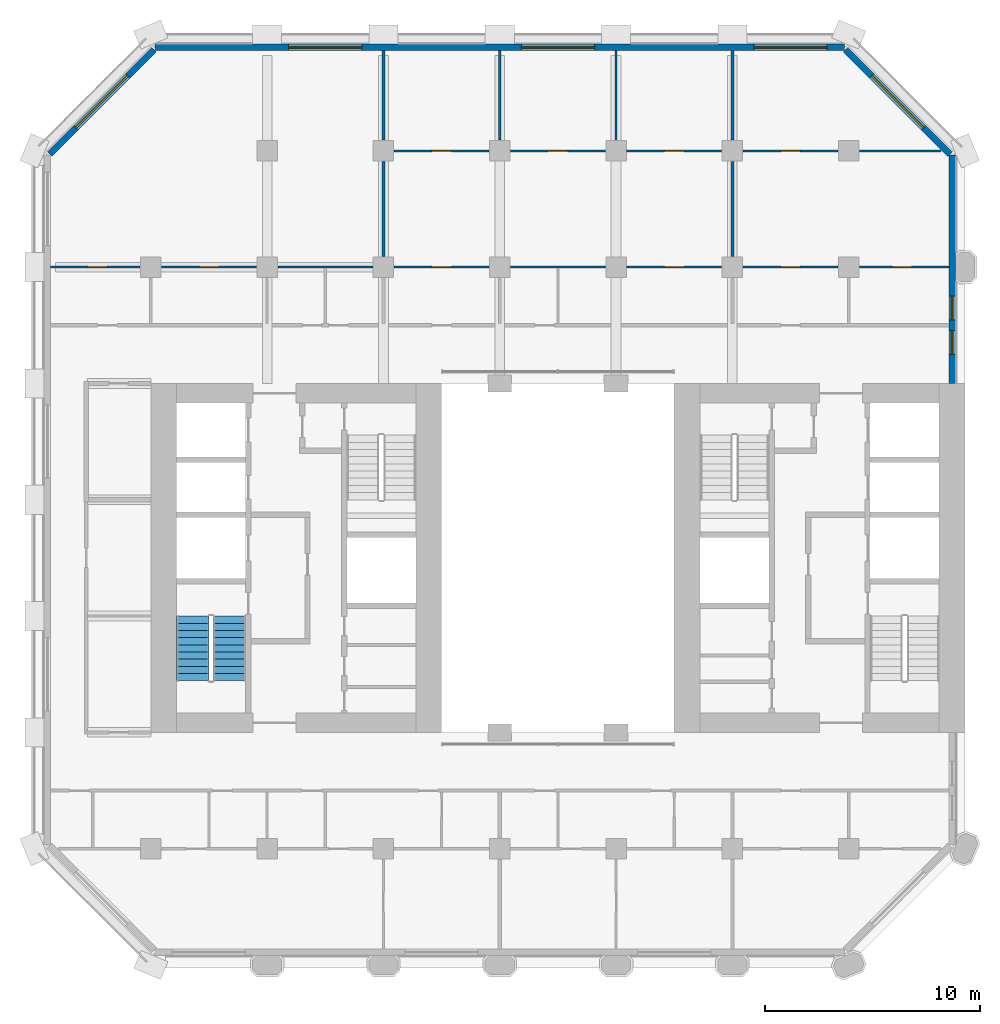
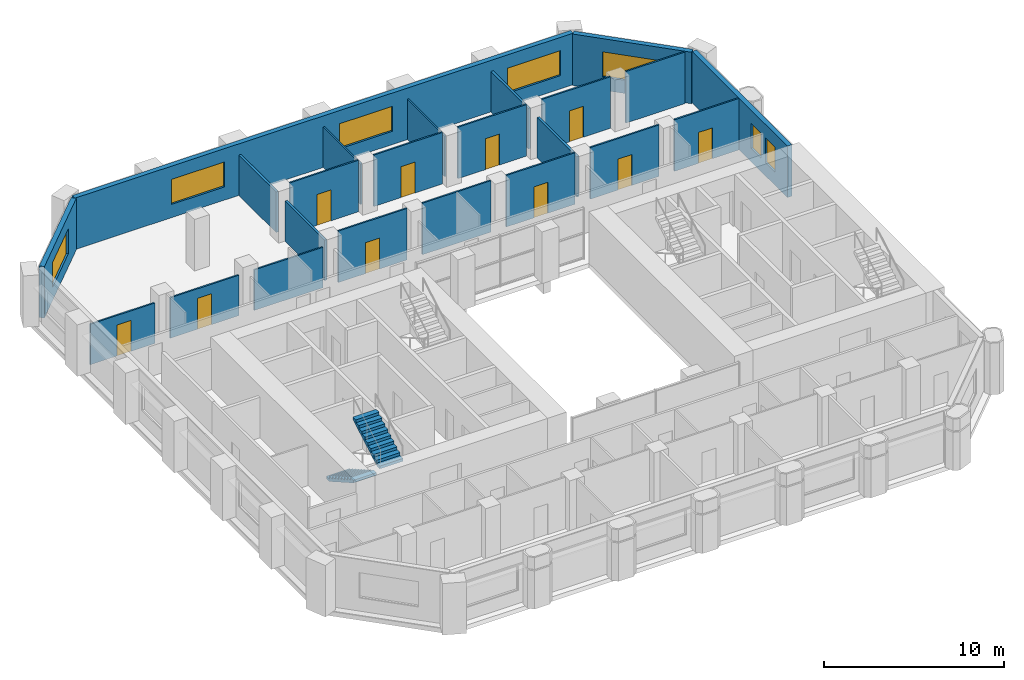
# One storey, part 9 of 13: 23 walls, 10 doors, 7 windows, 2 stair flights, 17 openings, 1 element without a shape of its own.
"""IFC4 building model written with IfcOpenShell, lengths in metres."""

from ifc_helpers import new_model, si_unit, direction, frame, frame_2d, origin, place, context, subcontext, project, spatial, polyline, rectangle, outline, extrude, material, layer, layer_set, type_object, element, fill, aggregate, save


model = new_model("IFC4")

# Units and contexts
model_context = context("Model", 3, precision=1e-05, world=origin(), true_north=direction((0.0, 1.0)))
body_context = subcontext(model_context, "Body", "Model", "MODEL_VIEW")
ifc_project = project(units=[si_unit("LENGTHUNIT", "METRE"), si_unit("AREAUNIT", "SQUARE_METRE"), si_unit("VOLUMEUNIT", "CUBIC_METRE"), si_unit("PLANEANGLEUNIT", "RADIAN"), si_unit("MASSUNIT", "GRAM", prefix="KILO")], contexts=[model_context])

# Site, building, storey
site_placement = place(None, origin())
site = spatial("IfcSite", under=ifc_project, at=site_placement, CompositionType="ELEMENT")
building_placement = place(site_placement, origin())
building = spatial("IfcBuilding", under=site, at=building_placement, Name="Tabaq Tower and Sports Hall", CompositionType="ELEMENT")
storey_placement = place(building_placement, frame((0.0, 0.0, 118.199951171875)))
storey = spatial("IfcBuildingStorey", under=building, at=storey_placement, Name="L28", CompositionType="ELEMENT", Elevation=118.199951171875)

# Wall, opening, door
ifc_material_1 = material(Name="Gypsum board on steel studs", Category="steel")
ifc_layer_1 = layer(ifc_material_1, 0.10009765625)
ifc_layer_set_1 = layer_set([ifc_layer_1], Name="Partition 100 Gypsum board")
wall_type_1 = type_object("IfcWallType", Name="Partition 100 Gypsum board", PredefinedType="PARTITIONING", material=ifc_layer_set_1)
wall_1_placement = place(storey_placement, frame((4.905029296875, 37.800048828125, 0.0), z_axis=(0.0, 0.0, 1.0), x_axis=(-1.0, 0.0, 0.0)))
wall_1 = element("IfcWall", 1, at=wall_1_placement, inside=storey, type_object=wall_type_1, Name="Partition wall L28", PredefinedType="PARTITIONING", context=body_context, shape_type="SweptSolid", body=[
    extrude(rectangle(XDim=4.154052734375, YDim=0.10009765625, at=frame_2d((2.0771484375, 0.0))), origin(), (0.0, 0.0, 1.0), 2.75),
])
opening_1_placement = place(wall_1_placement, frame((1.530029296875, 0.0, 0.0)))
opening_1 = element("IfcOpeningElement", 2, at=opening_1_placement, cuts=wall_1, Name="Opening L28-028", PredefinedType="OPENING", context=body_context, shape_type="SweptSolid", body=[
    extrude(rectangle(XDim=0.89990234375, YDim=2.10009765625, at=frame_2d((0.449951171875, 1.050048828125))), frame((0.0, 0.050048828125, 0.0), z_axis=(0.0, -1.0, 0.0), x_axis=(1.0, 0.0, 0.0)), (0.0, 0.0, 1.0), 0.10009765625),
])
ifc_material_2 = material(Name="Timber leaf in steel frame", Category="steel")
door_type_1 = type_object("IfcDoorType", Name="Internal door 900 right hand", OperationType="SINGLE_SWING_RIGHT", PredefinedType="DOOR", material=ifc_material_2)
door_1_placement = place(opening_1_placement, origin())
door_1 = element("IfcDoor", 3, at=door_1_placement, inside=storey, type_object=door_type_1, Name="Internal door L28-028", OperationType="SINGLE_SWING_RIGHT", OverallHeight=2.10009765625, OverallWidth=0.89990234375, PredefinedType="DOOR", context=body_context, shape_type="SweptSolid", body=[
    extrude(rectangle(XDim=0.89990234375, YDim=2.10009765625, at=frame_2d((0.449951171875, 1.050048828125))), frame((0.0, 0.02490234375, 0.0), z_axis=(0.0, -1.0, 0.0), x_axis=(1.0, 0.0, 0.0)), (0.0, 0.0, 1.0), 0.050048828125),
])
fill(opening_1, door_1)

wall_2_placement = place(storey_placement, frame((10.304931640625, 37.800048828125, 0.0), z_axis=(0.0, 0.0, 1.0), x_axis=(-1.0, 0.0, 0.0)))
wall_2 = element("IfcWall", 4, at=wall_2_placement, inside=storey, type_object=wall_type_1, Name="Partition wall L28", PredefinedType="PARTITIONING", context=body_context, shape_type="SweptSolid", body=[
    extrude(rectangle(XDim=4.409912109375, YDim=0.10009765625, at=frame_2d((2.205078125, 0.0))), origin(), (0.0, 0.0, 1.0), 2.75),
])
opening_2_placement = place(wall_2_placement, frame((1.7548828125, 0.0, 0.0)))
opening_2 = element("IfcOpeningElement", 5, at=opening_2_placement, cuts=wall_2, Name="Opening L28-011", PredefinedType="OPENING", context=body_context, shape_type="SweptSolid", body=[
    extrude(rectangle(XDim=0.89990234375, YDim=2.10009765625, at=frame_2d((0.449951171875, 1.050048828125))), frame((0.0, 0.050048828125, 0.0), z_axis=(0.0, -1.0, 0.0), x_axis=(1.0, 0.0, 0.0)), (0.0, 0.0, 1.0), 0.10009765625),
])
ifc_material_3 = material(Name="Timber leaf in steel frame", Category="steel")
door_type_2 = type_object("IfcDoorType", Name="Internal door 900 left hand", OperationType="SINGLE_SWING_LEFT", PredefinedType="DOOR", material=ifc_material_3)
door_2_placement = place(opening_2_placement, origin())
door_2 = element("IfcDoor", 6, at=door_2_placement, inside=storey, type_object=door_type_2, Name="Internal door L28-011", OperationType="SINGLE_SWING_LEFT", OverallHeight=2.10009765625, OverallWidth=0.89990234375, PredefinedType="DOOR", context=body_context, shape_type="SweptSolid", body=[
    extrude(rectangle(XDim=0.89990234375, YDim=2.10009765625, at=frame_2d((0.449951171875, 1.050048828125))), frame((0.0, 0.02490234375, 0.0), z_axis=(0.0, -1.0, 0.0), x_axis=(1.0, 0.0, 0.0)), (0.0, 0.0, 1.0), 0.050048828125),
])
fill(opening_2, door_2)

# Wall
wall_3_placement = place(storey_placement, frame((15.705078125, 37.800048828125, 0.0), z_axis=(0.0, 0.0, 1.0), x_axis=(-1.0, 0.0, 0.0)))
element("IfcWall", 7, at=wall_3_placement, inside=storey, type_object=wall_type_1, Name="Partition wall L28", PredefinedType="PARTITIONING", context=body_context, shape_type="SweptSolid", body=[
    extrude(rectangle(XDim=4.41015625, YDim=0.10009765625, at=frame_2d((2.205078125, 0.0))), origin(), (0.0, 0.0, 1.0), 2.75),
])

# Wall, opening, door
wall_4_placement = place(storey_placement, frame((21.10498046875, 37.800048828125, 0.0), z_axis=(0.0, 0.0, 1.0), x_axis=(-1.0, 0.0, 0.0)))
wall_4 = element("IfcWall", 8, at=wall_4_placement, inside=storey, type_object=wall_type_1, Name="Partition wall L28", PredefinedType="PARTITIONING", context=body_context, shape_type="SweptSolid", body=[
    extrude(rectangle(XDim=4.409912109375, YDim=0.10009765625, at=frame_2d((2.205078125, 0.0))), origin(), (0.0, 0.0, 1.0), 3.5),
])
opening_3_placement = place(wall_4_placement, frame((1.7548828125, 0.0, 0.0)))
opening_3 = element("IfcOpeningElement", 9, at=opening_3_placement, cuts=wall_4, Name="Opening L28-029", PredefinedType="OPENING", context=body_context, shape_type="SweptSolid", body=[
    extrude(rectangle(XDim=0.89990234375, YDim=2.10009765625, at=frame_2d((0.449951171875, 1.050048828125))), frame((0.0, 0.050048828125, 0.0), z_axis=(0.0, -1.0, 0.0), x_axis=(1.0, 0.0, 0.0)), (0.0, 0.0, 1.0), 0.10009765625),
])
door_3_placement = place(opening_3_placement, origin())
door_3 = element("IfcDoor", 10, at=door_3_placement, inside=storey, type_object=door_type_2, Name="Internal door L28-029", OperationType="SINGLE_SWING_LEFT", OverallHeight=2.10009765625, OverallWidth=0.89990234375, PredefinedType="DOOR", context=body_context, shape_type="SweptSolid", body=[
    extrude(rectangle(XDim=0.89990234375, YDim=2.10009765625, at=frame_2d((0.449951171875, 1.050048828125))), frame((0.0, 0.02490234375, 0.0), z_axis=(0.0, -1.0, 0.0), x_axis=(1.0, 0.0, 0.0)), (0.0, 0.0, 1.0), 0.050048828125),
])
fill(opening_3, door_3)

wall_5_placement = place(storey_placement, frame((31.905029296875, 37.800048828125, 0.0), z_axis=(0.0, 0.0, 1.0), x_axis=(-1.0, 0.0, 0.0)))
wall_5 = element("IfcWall", 11, at=wall_5_placement, inside=storey, type_object=wall_type_1, Name="Partition wall L28", PredefinedType="PARTITIONING", context=body_context, shape_type="SweptSolid", body=[
    extrude(rectangle(XDim=4.409912109375, YDim=0.10009765625, at=frame_2d((2.205078125, 0.0))), origin(), (0.0, 0.0, 1.0), 3.5),
])
opening_4_placement = place(wall_5_placement, frame((1.7548828125, 0.0, 0.0)))
opening_4 = element("IfcOpeningElement", 12, at=opening_4_placement, cuts=wall_5, Name="Opening L28-012", PredefinedType="OPENING", context=body_context, shape_type="SweptSolid", body=[
    extrude(rectangle(XDim=0.89990234375, YDim=2.10009765625, at=frame_2d((0.449951171875, 1.050048828125))), frame((0.0, 0.050048828125, 0.0), z_axis=(0.0, -1.0, 0.0), x_axis=(1.0, 0.0, 0.0)), (0.0, 0.0, 1.0), 0.10009765625),
])
door_4_placement = place(opening_4_placement, origin())
door_4 = element("IfcDoor", 13, at=door_4_placement, inside=storey, type_object=door_type_1, Name="Internal door L28-012", OperationType="SINGLE_SWING_RIGHT", OverallHeight=2.10009765625, OverallWidth=0.89990234375, PredefinedType="DOOR", context=body_context, shape_type="SweptSolid", body=[
    extrude(rectangle(XDim=0.89990234375, YDim=2.10009765625, at=frame_2d((0.449951171875, 1.050048828125))), frame((0.0, 0.02490234375, 0.0), z_axis=(0.0, -1.0, 0.0), x_axis=(1.0, 0.0, 0.0)), (0.0, 0.0, 1.0), 0.050048828125),
])
fill(opening_4, door_4)

# Wall
wall_6_placement = place(storey_placement, frame((26.5048828125, 37.800048828125, 0.0), z_axis=(0.0, 0.0, 1.0), x_axis=(-1.0, 0.0, 0.0)))
element("IfcWall", 14, at=wall_6_placement, inside=storey, type_object=wall_type_1, Name="Partition wall L28", PredefinedType="PARTITIONING", context=body_context, shape_type="SweptSolid", body=[
    extrude(rectangle(XDim=4.409912109375, YDim=0.10009765625, at=frame_2d((2.205078125, 0.0))), origin(), (0.0, 0.0, 1.0), 3.5),
])

# Wall, opening, door
wall_7_placement = place(storey_placement, frame((31.905029296875, 43.199951171875, 0.0), z_axis=(0.0, 0.0, 1.0), x_axis=(-1.0, 0.0, 0.0)))
wall_7 = element("IfcWall", 15, at=wall_7_placement, inside=storey, type_object=wall_type_1, Name="Partition wall L28", PredefinedType="PARTITIONING", context=body_context, shape_type="SweptSolid", body=[
    extrude(rectangle(XDim=4.409912109375, YDim=0.10009765625, at=frame_2d((2.205078125, 0.0))), origin(), (0.0, 0.0, 1.0), 3.5),
])
opening_5_placement = place(wall_7_placement, frame((1.7548828125, 0.0, 0.0)))
opening_5 = element("IfcOpeningElement", 16, at=opening_5_placement, cuts=wall_7, Name="Opening L28-015", PredefinedType="OPENING", context=body_context, shape_type="SweptSolid", body=[
    extrude(rectangle(XDim=0.89990234375, YDim=2.10009765625, at=frame_2d((0.449951171875, 1.050048828125))), frame((0.0, 0.050048828125, 0.0), z_axis=(0.0, -1.0, 0.0), x_axis=(1.0, 0.0, 0.0)), (0.0, 0.0, 1.0), 0.10009765625),
])
door_5_placement = place(opening_5_placement, origin())
door_5 = element("IfcDoor", 17, at=door_5_placement, inside=storey, type_object=door_type_1, Name="Internal door L28-015", OperationType="SINGLE_SWING_RIGHT", OverallHeight=2.10009765625, OverallWidth=0.89990234375, PredefinedType="DOOR", context=body_context, shape_type="SweptSolid", body=[
    extrude(rectangle(XDim=0.89990234375, YDim=2.10009765625, at=frame_2d((0.449951171875, 1.050048828125))), frame((0.0, 0.02490234375, 0.0), z_axis=(0.0, -1.0, 0.0), x_axis=(1.0, 0.0, 0.0)), (0.0, 0.0, 1.0), 0.050048828125),
])
fill(opening_5, door_5)

wall_8_placement = place(storey_placement, frame((26.5048828125, 43.199951171875, 0.0), z_axis=(0.0, 0.0, 1.0), x_axis=(-1.0, 0.0, 0.0)))
wall_8 = element("IfcWall", 18, at=wall_8_placement, inside=storey, type_object=wall_type_1, Name="Partition wall L28", PredefinedType="PARTITIONING", context=body_context, shape_type="SweptSolid", body=[
    extrude(rectangle(XDim=4.409912109375, YDim=0.10009765625, at=frame_2d((2.205078125, 0.0))), origin(), (0.0, 0.0, 1.0), 3.5),
])
opening_6_placement = place(wall_8_placement, frame((1.7548828125, 0.0, 0.0)))
opening_6 = element("IfcOpeningElement", 19, at=opening_6_placement, cuts=wall_8, Name="Opening L28-014", PredefinedType="OPENING", context=body_context, shape_type="SweptSolid", body=[
    extrude(rectangle(XDim=0.89990234375, YDim=2.10009765625, at=frame_2d((0.449951171875, 1.050048828125))), frame((0.0, 0.050048828125, 0.0), z_axis=(0.0, -1.0, 0.0), x_axis=(1.0, 0.0, 0.0)), (0.0, 0.0, 1.0), 0.10009765625),
])
door_6_placement = place(opening_6_placement, origin())
door_6 = element("IfcDoor", 20, at=door_6_placement, inside=storey, type_object=door_type_1, Name="Internal door L28-014", OperationType="SINGLE_SWING_RIGHT", OverallHeight=2.10009765625, OverallWidth=0.89990234375, PredefinedType="DOOR", context=body_context, shape_type="SweptSolid", body=[
    extrude(rectangle(XDim=0.89990234375, YDim=2.10009765625, at=frame_2d((0.449951171875, 1.050048828125))), frame((0.0, 0.02490234375, 0.0), z_axis=(0.0, -1.0, 0.0), x_axis=(1.0, 0.0, 0.0)), (0.0, 0.0, 1.0), 0.050048828125),
])
fill(opening_6, door_6)

wall_9_placement = place(storey_placement, frame((21.10498046875, 43.199951171875, 0.0), z_axis=(0.0, 0.0, 1.0), x_axis=(-1.0, 0.0, 0.0)))
wall_9 = element("IfcWall", 21, at=wall_9_placement, inside=storey, type_object=wall_type_1, Name="Partition wall L28", PredefinedType="PARTITIONING", context=body_context, shape_type="SweptSolid", body=[
    extrude(rectangle(XDim=4.409912109375, YDim=0.10009765625, at=frame_2d((2.205078125, 0.0))), origin(), (0.0, 0.0, 1.0), 3.5),
])
opening_7_placement = place(wall_9_placement, frame((1.7548828125, 0.0, 0.0)))
opening_7 = element("IfcOpeningElement", 22, at=opening_7_placement, cuts=wall_9, Name="Opening L28-013", PredefinedType="OPENING", context=body_context, shape_type="SweptSolid", body=[
    extrude(rectangle(XDim=0.89990234375, YDim=2.10009765625, at=frame_2d((0.449951171875, 1.050048828125))), frame((0.0, 0.050048828125, 0.0), z_axis=(0.0, -1.0, 0.0), x_axis=(1.0, 0.0, 0.0)), (0.0, 0.0, 1.0), 0.10009765625),
])
door_7_placement = place(opening_7_placement, origin())
door_7 = element("IfcDoor", 23, at=door_7_placement, inside=storey, type_object=door_type_1, Name="Internal door L28-013", OperationType="SINGLE_SWING_RIGHT", OverallHeight=2.10009765625, OverallWidth=0.89990234375, PredefinedType="DOOR", context=body_context, shape_type="SweptSolid", body=[
    extrude(rectangle(XDim=0.89990234375, YDim=2.10009765625, at=frame_2d((0.449951171875, 1.050048828125))), frame((0.0, 0.02490234375, 0.0), z_axis=(0.0, -1.0, 0.0), x_axis=(1.0, 0.0, 0.0)), (0.0, 0.0, 1.0), 0.050048828125),
])
fill(opening_7, door_7)

# Walls
for number, where, z_axis, x_axis, name in (
    (24, (21.60009765625, 43.695068359375, 0.0), (0.0, 0.0, 1.0), (0.0, 1.0, 0.0), "Partition wall L28"),
    (25, (27.0, 43.695068359375, 0.0), (0.0, 0.0, 1.0), (0.0, 1.0, 0.0), "Partition wall L28"),
):
    element("IfcWall", number, at=place(storey_placement, frame(where, z_axis=z_axis, x_axis=x_axis)), inside=storey, type_object=wall_type_1, Name=name, PredefinedType="PARTITIONING", context=body_context, shape_type="SweptSolid", body=[
        extrude(rectangle(XDim=4.154052734375, YDim=0.10009765625, at=frame_2d((2.0771484375, 0.0))), origin(), (0.0, 0.0, 1.0), 2.75),
    ])

# Wall, opening, door
wall_10_placement = place(storey_placement, frame((37.304931640625, 37.800048828125, 0.0), z_axis=(0.0, 0.0, 1.0), x_axis=(-1.0, 0.0, 0.0)))
wall_10 = element("IfcWall", 26, at=wall_10_placement, inside=storey, type_object=wall_type_1, Name="Partition wall L28", PredefinedType="PARTITIONING", context=body_context, shape_type="SweptSolid", body=[
    extrude(rectangle(XDim=4.409912109375, YDim=0.10009765625, at=frame_2d((2.205078125, 0.0))), origin(), (0.0, 0.0, 1.0), 3.5),
])
opening_8_placement = place(wall_10_placement, frame((1.7548828125, 0.0, 0.0)))
opening_8 = element("IfcOpeningElement", 27, at=opening_8_placement, cuts=wall_10, Name="Opening L28-030", PredefinedType="OPENING", context=body_context, shape_type="SweptSolid", body=[
    extrude(rectangle(XDim=0.89990234375, YDim=2.10009765625, at=frame_2d((0.449951171875, 1.050048828125))), frame((0.0, 0.050048828125, 0.0), z_axis=(0.0, -1.0, 0.0), x_axis=(1.0, 0.0, 0.0)), (0.0, 0.0, 1.0), 0.10009765625),
])
door_8_placement = place(opening_8_placement, origin())
door_8 = element("IfcDoor", 28, at=door_8_placement, inside=storey, type_object=door_type_2, Name="Internal door L28-030", OperationType="SINGLE_SWING_LEFT", OverallHeight=2.10009765625, OverallWidth=0.89990234375, PredefinedType="DOOR", context=body_context, shape_type="SweptSolid", body=[
    extrude(rectangle(XDim=0.89990234375, YDim=2.10009765625, at=frame_2d((0.449951171875, 1.050048828125))), frame((0.0, 0.02490234375, 0.0), z_axis=(0.0, -1.0, 0.0), x_axis=(1.0, 0.0, 0.0)), (0.0, 0.0, 1.0), 0.050048828125),
])
fill(opening_8, door_8)

wall_11_placement = place(storey_placement, frame((42.448974609375, 37.800048828125, 0.0), z_axis=(0.0, 0.0, 1.0), x_axis=(-1.0, 0.0, 0.0)))
wall_11 = element("IfcWall", 29, at=wall_11_placement, inside=storey, type_object=wall_type_1, Name="Partition wall L28", PredefinedType="PARTITIONING", context=body_context, shape_type="SweptSolid", body=[
    extrude(rectangle(XDim=4.154052734375, YDim=0.10009765625, at=frame_2d((2.0771484375, 0.0))), origin(), (0.0, 0.0, 1.0), 3.5),
])
opening_9_placement = place(wall_11_placement, frame((1.72412109375, 0.0, 0.0)))
opening_9 = element("IfcOpeningElement", 30, at=opening_9_placement, cuts=wall_11, Name="Opening L28-016", PredefinedType="OPENING", context=body_context, shape_type="SweptSolid", body=[
    extrude(rectangle(XDim=0.89990234375, YDim=2.10009765625, at=frame_2d((0.449951171875, 1.050048828125))), frame((0.0, 0.050048828125, 0.0), z_axis=(0.0, -1.0, 0.0), x_axis=(1.0, 0.0, 0.0)), (0.0, 0.0, 1.0), 0.10009765625),
])
door_9_placement = place(opening_9_placement, origin())
door_9 = element("IfcDoor", 31, at=door_9_placement, inside=storey, type_object=door_type_1, Name="Internal door L28-016", OperationType="SINGLE_SWING_RIGHT", OverallHeight=2.10009765625, OverallWidth=0.89990234375, PredefinedType="DOOR", context=body_context, shape_type="SweptSolid", body=[
    extrude(rectangle(XDim=0.89990234375, YDim=2.10009765625, at=frame_2d((0.449951171875, 1.050048828125))), frame((0.0, 0.02490234375, 0.0), z_axis=(0.0, -1.0, 0.0), x_axis=(1.0, 0.0, 0.0)), (0.0, 0.0, 1.0), 0.050048828125),
])
fill(opening_9, door_9)

# Wall
wall_12_placement = place(storey_placement, frame((42.087890625, 43.199951171875, 0.0), z_axis=(0.0, 0.0, 1.0), x_axis=(-1.0, 0.0, 0.0)))
element("IfcWall", 32, at=wall_12_placement, inside=storey, type_object=wall_type_1, Name="Partition wall L28", PredefinedType="PARTITIONING", context=body_context, shape_type="SweptSolid", body=[
    extrude(rectangle(XDim=3.79296875, YDim=0.10009765625, at=frame_2d((1.896484375, 0.0))), origin(), (0.0, 0.0, 1.0), 3.5),
])

# Wall, opening, door
wall_13_placement = place(storey_placement, frame((37.304931640625, 43.199951171875, 0.0), z_axis=(0.0, 0.0, 1.0), x_axis=(-1.0, 0.0, 0.0)))
wall_13 = element("IfcWall", 33, at=wall_13_placement, inside=storey, type_object=wall_type_1, Name="Partition wall L28", PredefinedType="PARTITIONING", context=body_context, shape_type="SweptSolid", body=[
    extrude(rectangle(XDim=4.409912109375, YDim=0.10009765625, at=frame_2d((2.205078125, 0.0))), origin(), (0.0, 0.0, 1.0), 3.5),
])
opening_10_placement = place(wall_13_placement, frame((1.7548828125, 0.0, 0.0)))
opening_10 = element("IfcOpeningElement", 34, at=opening_10_placement, cuts=wall_13, Name="Opening L28-017", PredefinedType="OPENING", context=body_context, shape_type="SweptSolid", body=[
    extrude(rectangle(XDim=0.89990234375, YDim=2.10009765625, at=frame_2d((0.449951171875, 1.050048828125))), frame((0.0, 0.050048828125, 0.0), z_axis=(0.0, -1.0, 0.0), x_axis=(1.0, 0.0, 0.0)), (0.0, 0.0, 1.0), 0.10009765625),
])
door_10_placement = place(opening_10_placement, origin())
door_10 = element("IfcDoor", 35, at=door_10_placement, inside=storey, type_object=door_type_1, Name="Internal door L28-017", OperationType="SINGLE_SWING_RIGHT", OverallHeight=2.10009765625, OverallWidth=0.89990234375, PredefinedType="DOOR", context=body_context, shape_type="SweptSolid", body=[
    extrude(rectangle(XDim=0.89990234375, YDim=2.10009765625, at=frame_2d((0.449951171875, 1.050048828125))), frame((0.0, 0.02490234375, 0.0), z_axis=(0.0, -1.0, 0.0), x_axis=(1.0, 0.0, 0.0)), (0.0, 0.0, 1.0), 0.050048828125),
])
fill(opening_10, door_10)

# Walls
ifc_material_4 = material(Name="Blockwork", Category="masonry")
ifc_layer_2 = layer(ifc_material_4, 0.14990234375)
ifc_layer_set_2 = layer_set([ifc_layer_2], Name="Separating wall 150 Blockwork")
wall_type_2 = type_object("IfcWallType", Name="Separating wall 150 Blockwork", PredefinedType="PARTITIONING", material=ifc_layer_set_2)
wall_14_placement = place(storey_placement, frame((16.199951171875, 38.294921875, 0.0), z_axis=(0.0, 0.0, 1.0), x_axis=(0.0, 1.0, 0.0)))
element("IfcWall", 36, at=wall_14_placement, inside=storey, type_object=wall_type_2, Name="Separating wall L28", PredefinedType="PARTITIONING", context=body_context, shape_type="SweptSolid", body=[
    extrude(rectangle(XDim=4.41015625, YDim=0.14990234375, at=frame_2d((2.205078125, 0.0))), origin(), (0.0, 0.0, 1.0), 2.75),
])
wall_15_placement = place(storey_placement, frame((16.199951171875, 43.695068359375, 0.0), z_axis=(0.0, 0.0, 1.0), x_axis=(0.0, 1.0, 0.0)))
element("IfcWall", 37, at=wall_15_placement, inside=storey, type_object=wall_type_2, Name="Separating wall L28", PredefinedType="PARTITIONING", context=body_context, shape_type="SweptSolid", body=[
    extrude(rectangle(XDim=4.154052734375, YDim=0.14990234375, at=frame_2d((2.0771484375, 0.0))), origin(), (0.0, 0.0, 1.0), 2.75),
])
wall_16_placement = place(storey_placement, frame((32.39990234375, 38.294921875, 0.0), z_axis=(0.0, 0.0, 1.0), x_axis=(0.0, 1.0, 0.0)))
element("IfcWall", 38, at=wall_16_placement, inside=storey, type_object=wall_type_2, Name="Separating wall L28", PredefinedType="PARTITIONING", context=body_context, shape_type="SweptSolid", body=[
    extrude(rectangle(XDim=4.41015625, YDim=0.14990234375, at=frame_2d((2.205078125, 0.0))), origin(), (0.0, 0.0, 1.0), 2.75),
])
wall_17_placement = place(storey_placement, frame((32.39990234375, 43.695068359375, 0.0), z_axis=(0.0, 0.0, 1.0), x_axis=(0.0, 1.0, 0.0)))
element("IfcWall", 39, at=wall_17_placement, inside=storey, type_object=wall_type_2, Name="Separating wall L28", PredefinedType="PARTITIONING", context=body_context, shape_type="SweptSolid", body=[
    extrude(rectangle(XDim=4.154052734375, YDim=0.14990234375, at=frame_2d((2.0771484375, 0.0))), origin(), (0.0, 0.0, 1.0), 2.75),
])

# Wall, openings, windows
ifc_material_5 = material(Name="White precast concrete C60/75", Category="concrete")
ifc_layer_3 = layer(ifc_material_5, 0.300048828125)
ifc_layer_set_3 = layer_set([ifc_layer_3], Name="White precast concrete C60/75 external wall 300")
wall_type_3 = type_object("IfcWallType", Name="White precast concrete C60/75 external wall 300", PredefinedType="SOLIDWALL", material=ifc_layer_set_3)
wall_18_placement = place(storey_placement, frame((42.60009765625, 32.39990234375, 0.0), z_axis=(0.0, 0.0, 1.0), x_axis=(0.0, 1.0, 0.0)))
wall_18 = element("IfcWall", 40, at=wall_18_placement, inside=storey, type_object=wall_type_3, Name="External Wall L28 E", PredefinedType="SOLIDWALL", context=body_context, shape_type="SweptSolid", body=[
    extrude(rectangle(XDim=10.61376953125, YDim=0.300048828125, at=frame_2d((5.306884765625, 0.0))), origin(), (0.0, 0.0, 1.0), 3.5),
])
opening_11_placement = place(wall_18_placement, frame((1.35009765625, 0.0, 0.89990234375)))
opening_11 = element("IfcOpeningElement", 41, at=opening_11_placement, cuts=wall_18, Name="Opening W1B", PredefinedType="OPENING", context=body_context, shape_type="SweptSolid", body=[
    extrude(rectangle(XDim=1.10009765625, YDim=1.699951171875, at=frame_2d((0.550048828125, 0.85009765625))), frame((0.0, 0.16015625, 0.0), z_axis=(0.0, -1.0, 0.0), x_axis=(1.0, 0.0, 0.0)), (0.0, 0.0, 1.0), 0.320068359375),
])
opening_12_placement = place(wall_18_placement, frame((2.949951171875, 0.0, 0.89990234375)))
opening_12 = element("IfcOpeningElement", 42, at=opening_12_placement, cuts=wall_18, Name="Opening W1B", PredefinedType="OPENING", context=body_context, shape_type="SweptSolid", body=[
    extrude(rectangle(XDim=1.10009765625, YDim=1.699951171875, at=frame_2d((0.550048828125, 0.85009765625))), frame((0.0, 0.16015625, 0.0), z_axis=(0.0, -1.0, 0.0), x_axis=(1.0, 0.0, 0.0)), (0.0, 0.0, 1.0), 0.320068359375),
])
ifc_material_6 = material(Name="Aluminium framed clear glazing", Category="aluminium")
window_type_1 = type_object("IfcWindowType", Name="Window W1B", PartitioningType="SINGLE_PANEL", PredefinedType="WINDOW", material=ifc_material_6)
window_1_placement = place(opening_11_placement, origin())
window_1 = element("IfcWindow", 43, at=window_1_placement, inside=storey, type_object=window_type_1, Name="Window W1B L28", OverallHeight=1.699951171875, OverallWidth=1.10009765625, PartitioningType="SINGLE_PANEL", PredefinedType="WINDOW", context=body_context, shape_type="SweptSolid", body=[
    extrude(rectangle(XDim=1.10009765625, YDim=1.699951171875, at=frame_2d((0.550048828125, 0.85009765625))), frame((0.0, 0.030029296875, 0.0), z_axis=(0.0, -1.0, 0.0), x_axis=(1.0, 0.0, 0.0)), (0.0, 0.0, 1.0), 0.06005859375),
])
fill(opening_11, window_1)
window_2_placement = place(opening_12_placement, origin())
window_2 = element("IfcWindow", 44, at=window_2_placement, inside=storey, type_object=window_type_1, Name="Window W1B L28", OverallHeight=1.699951171875, OverallWidth=1.10009765625, PartitioningType="SINGLE_PANEL", PredefinedType="WINDOW", context=body_context, shape_type="SweptSolid", body=[
    extrude(rectangle(XDim=1.10009765625, YDim=1.699951171875, at=frame_2d((0.550048828125, 0.85009765625))), frame((0.0, 0.030029296875, 0.0), z_axis=(0.0, -1.0, 0.0), x_axis=(1.0, 0.0, 0.0)), (0.0, 0.0, 1.0), 0.06005859375),
])
fill(opening_12, window_2)

# Wall, opening, window
wall_19_placement = place(storey_placement, frame((42.5009765625, 43.050537109375, 0.0), z_axis=(0.0, 0.0, 1.0), x_axis=(-0.707106781187, 0.707106781187, 0.0)))
wall_19 = element("IfcWall", 45, at=wall_19_placement, inside=storey, type_object=wall_type_3, Name="External Wall L28 NE", PredefinedType="SOLIDWALL", context=body_context, shape_type="SweptSolid", body=[
    extrude(rectangle(XDim=6.85986328125, YDim=0.300048828125, at=frame_2d((3.429931640625, 0.0))), origin(), (0.0, 0.0, 1.0), 3.5),
])
opening_13_placement = place(wall_19_placement, frame((1.729736328125, 0.0, 0.89990234375)))
opening_13 = element("IfcOpeningElement", 46, at=opening_13_placement, cuts=wall_19, Name="Opening W1A", PredefinedType="OPENING", context=body_context, shape_type="SweptSolid", body=[
    extrude(rectangle(XDim=3.39990234375, YDim=1.699951171875, at=frame_2d((1.699951171875, 0.85009765625))), frame((0.0, 0.16015625, 0.0), z_axis=(0.0, -1.0, 0.0), x_axis=(1.0, 0.0, 0.0)), (0.0, 0.0, 1.0), 0.320068359375),
])
ifc_material_7 = material(Name="Aluminium framed clear glazing", Category="aluminium")
window_type_2 = type_object("IfcWindowType", Name="Window W1A", PartitioningType="SINGLE_PANEL", PredefinedType="WINDOW", material=ifc_material_7)
window_3_placement = place(opening_13_placement, origin())
window_3 = element("IfcWindow", 47, at=window_3_placement, inside=storey, type_object=window_type_2, Name="Window W1A L28", OverallHeight=1.699951171875, OverallWidth=3.39990234375, PartitioningType="SINGLE_PANEL", PredefinedType="WINDOW", context=body_context, shape_type="SweptSolid", body=[
    extrude(rectangle(XDim=3.39990234375, YDim=1.699951171875, at=frame_2d((1.699951171875, 0.85009765625))), frame((0.0, 0.030029296875, 0.0), z_axis=(0.0, -1.0, 0.0), x_axis=(1.0, 0.0, 0.0)), (0.0, 0.0, 1.0), 0.06005859375),
])
fill(opening_13, window_3)

# Wall, openings, windows
wall_20_placement = place(storey_placement, frame((37.613525390625, 48.0, 0.0), z_axis=(0.0, 0.0, 1.0), x_axis=(-1.0, 0.0, 0.0)))
wall_20 = element("IfcWall", 48, at=wall_20_placement, inside=storey, type_object=wall_type_3, Name="External Wall L28 N", PredefinedType="SOLIDWALL", context=body_context, shape_type="SweptSolid", body=[
    extrude(rectangle(XDim=32.027099609375, YDim=0.300048828125, at=frame_2d((16.013671875, 0.0))), origin(), (0.0, 0.0, 1.0), 3.5),
])
opening_14_placement = place(wall_20_placement, frame((0.813720703125, 0.0, 0.89990234375)))
opening_14 = element("IfcOpeningElement", 49, at=opening_14_placement, cuts=wall_20, Name="Opening W1A", PredefinedType="OPENING", context=body_context, shape_type="SweptSolid", body=[
    extrude(rectangle(XDim=3.39990234375, YDim=1.699951171875, at=frame_2d((1.699951171875, 0.85009765625))), frame((0.0, 0.16015625, 0.0), z_axis=(0.0, -1.0, 0.0), x_axis=(1.0, 0.0, 0.0)), (0.0, 0.0, 1.0), 0.320068359375),
])
opening_15_placement = place(wall_20_placement, frame((11.613525390625, 0.0, 0.89990234375)))
opening_15 = element("IfcOpeningElement", 50, at=opening_15_placement, cuts=wall_20, Name="Opening W1A", PredefinedType="OPENING", context=body_context, shape_type="SweptSolid", body=[
    extrude(rectangle(XDim=3.39990234375, YDim=1.699951171875, at=frame_2d((1.699951171875, 0.85009765625))), frame((0.0, 0.16015625, 0.0), z_axis=(0.0, -1.0, 0.0), x_axis=(1.0, 0.0, 0.0)), (0.0, 0.0, 1.0), 0.320068359375),
])
opening_16_placement = place(wall_20_placement, frame((22.41357421875, 0.0, 0.89990234375)))
opening_16 = element("IfcOpeningElement", 51, at=opening_16_placement, cuts=wall_20, Name="Opening W1A", PredefinedType="OPENING", context=body_context, shape_type="SweptSolid", body=[
    extrude(rectangle(XDim=3.39990234375, YDim=1.699951171875, at=frame_2d((1.699951171875, 0.85009765625))), frame((0.0, 0.16015625, 0.0), z_axis=(0.0, -1.0, 0.0), x_axis=(1.0, 0.0, 0.0)), (0.0, 0.0, 1.0), 0.320068359375),
])
window_4_placement = place(opening_14_placement, origin())
window_4 = element("IfcWindow", 52, at=window_4_placement, inside=storey, type_object=window_type_2, Name="Window W1A L28", OverallHeight=1.699951171875, OverallWidth=3.39990234375, PartitioningType="SINGLE_PANEL", PredefinedType="WINDOW", context=body_context, shape_type="SweptSolid", body=[
    extrude(rectangle(XDim=3.39990234375, YDim=1.699951171875, at=frame_2d((1.699951171875, 0.85009765625))), frame((0.0, 0.030029296875, 0.0), z_axis=(0.0, -1.0, 0.0), x_axis=(1.0, 0.0, 0.0)), (0.0, 0.0, 1.0), 0.06005859375),
])
fill(opening_14, window_4)
window_5_placement = place(opening_15_placement, origin())
window_5 = element("IfcWindow", 53, at=window_5_placement, inside=storey, type_object=window_type_2, Name="Window W1A L28", OverallHeight=1.699951171875, OverallWidth=3.39990234375, PartitioningType="SINGLE_PANEL", PredefinedType="WINDOW", context=body_context, shape_type="SweptSolid", body=[
    extrude(rectangle(XDim=3.39990234375, YDim=1.699951171875, at=frame_2d((1.699951171875, 0.85009765625))), frame((0.0, 0.030029296875, 0.0), z_axis=(0.0, -1.0, 0.0), x_axis=(1.0, 0.0, 0.0)), (0.0, 0.0, 1.0), 0.06005859375),
])
fill(opening_15, window_5)
window_6_placement = place(opening_16_placement, origin())
window_6 = element("IfcWindow", 54, at=window_6_placement, inside=storey, type_object=window_type_2, Name="Window W1A L28", OverallHeight=1.699951171875, OverallWidth=3.39990234375, PartitioningType="SINGLE_PANEL", PredefinedType="WINDOW", context=body_context, shape_type="SweptSolid", body=[
    extrude(rectangle(XDim=3.39990234375, YDim=1.699951171875, at=frame_2d((1.699951171875, 0.85009765625))), frame((0.0, 0.030029296875, 0.0), z_axis=(0.0, -1.0, 0.0), x_axis=(1.0, 0.0, 0.0)), (0.0, 0.0, 1.0), 0.06005859375),
])
fill(opening_16, window_6)

# Wall, opening, window
wall_21_placement = place(storey_placement, frame((5.549560546875, 47.901123046875, 0.0), z_axis=(0.0, 0.0, 1.0), x_axis=(-0.707106781187, -0.707106781187, 0.0)))
wall_21 = element("IfcWall", 55, at=wall_21_placement, inside=storey, type_object=wall_type_3, Name="External Wall L28 NW", PredefinedType="SOLIDWALL", context=body_context, shape_type="SweptSolid", body=[
    extrude(rectangle(XDim=6.85986328125, YDim=0.300048828125, at=frame_2d((3.429931640625, 0.0))), origin(), (0.0, 0.0, 1.0), 3.5),
])
opening_17_placement = place(wall_21_placement, frame((1.729736328125, 0.0, 0.89990234375)))
opening_17 = element("IfcOpeningElement", 56, at=opening_17_placement, cuts=wall_21, Name="Opening W1A", PredefinedType="OPENING", context=body_context, shape_type="SweptSolid", body=[
    extrude(rectangle(XDim=3.39990234375, YDim=1.699951171875, at=frame_2d((1.699951171875, 0.85009765625))), frame((0.0, 0.16015625, 0.0), z_axis=(0.0, -1.0, 0.0), x_axis=(1.0, 0.0, 0.0)), (0.0, 0.0, 1.0), 0.320068359375),
])
window_7_placement = place(opening_17_placement, origin())
window_7 = element("IfcWindow", 57, at=window_7_placement, inside=storey, type_object=window_type_2, Name="Window W1A L28", OverallHeight=1.699951171875, OverallWidth=3.39990234375, PartitioningType="SINGLE_PANEL", PredefinedType="WINDOW", context=body_context, shape_type="SweptSolid", body=[
    extrude(rectangle(XDim=3.39990234375, YDim=1.699951171875, at=frame_2d((1.699951171875, 0.85009765625))), frame((0.0, 0.030029296875, 0.0), z_axis=(0.0, -1.0, 0.0), x_axis=(1.0, 0.0, 0.0)), (0.0, 0.0, 1.0), 0.06005859375),
])
fill(opening_17, window_7)

# Stair, stair flights
ifc_material_8 = material(Name="Concrete C40/50", Category="concrete")
stair_type = type_object("IfcStairType", Name="Exit stair", PredefinedType="HALF_TURN_STAIR", material=ifc_material_8)
stair_placement = place(storey_placement, origin())
stair = element("IfcStair", 58, at=stair_placement, inside=storey, type_object=stair_type, Name="L28 Exit stair ST1", PredefinedType="HALF_TURN_STAIR")
ifc_material_9 = material(Name="Concrete C40/50", Category="concrete")
stair_flight_type = type_object("IfcStairFlightType", Name="Exit stair flight", PredefinedType="STRAIGHT", material=ifc_material_9)
stair_flight_1_placement = place(storey_placement, frame((7.35009765625, 21.60009765625, 0.0), z_axis=(0.0, 0.0, 1.0), x_axis=(0.0, -1.0, 0.0)))
stair_flight_1 = element("IfcStairFlight", 59, at=stair_flight_1_placement, type_object=stair_flight_type, Name="ST1 flight 1", NumberOfRisers=10, NumberOfTreads=9, PredefinedType="STRAIGHT", RiserHeight=0.19, TreadLength=0.333333333, context=body_context, shape_type="SweptSolid", body=[
    extrude(outline(polyline([(0.0, 0.0), (0.0, 0.18994140625), (0.333251953125, 0.18994140625), (0.333251953125, 0.3798828125), (0.666748046875, 0.3798828125), (0.666748046875, 0.570068359375), (1.0, 0.570068359375), (1.0, 0.760009765625), (1.333251953125, 0.760009765625), (1.333251953125, 0.949951171875), (1.666748046875, 0.949951171875), (1.666748046875, 1.139892578125), (2.0, 1.139892578125), (2.0, 1.330078125), (2.333251953125, 1.330078125), (2.333251953125, 1.52001953125), (2.666748046875, 1.52001953125), (2.666748046875, 1.7099609375), (3.0, 1.7099609375), (3.0, 1.89990234375), (3.0, 1.537353515625), (0.302734375, 0.0), (0.0, 0.0)])), frame((0.0, 0.75, 0.0), z_axis=(0.0, -1.0, 0.0), x_axis=(1.0, 0.0, 0.0)), (0.0, 0.0, 1.0), 1.5),
])
stair_flight_2_placement = place(storey_placement, frame((9.050048828125, 18.60009765625, 1.900146484375), z_axis=(0.0, 0.0, 1.0), x_axis=(0.0, 1.0, 0.0)))
stair_flight_2 = element("IfcStairFlight", 60, at=stair_flight_2_placement, type_object=stair_flight_type, Name="ST1 flight 2", NumberOfRisers=10, NumberOfTreads=9, PredefinedType="STRAIGHT", RiserHeight=0.19, TreadLength=0.333333333, context=body_context, shape_type="SweptSolid", body=[
    extrude(outline(polyline([(0.0, 0.0), (0.0, 0.18994140625), (0.333251953125, 0.18994140625), (0.333251953125, 0.3798828125), (0.666748046875, 0.3798828125), (0.666748046875, 0.570068359375), (1.0, 0.570068359375), (1.0, 0.760009765625), (1.333251953125, 0.760009765625), (1.333251953125, 0.949951171875), (1.666748046875, 0.949951171875), (1.666748046875, 1.139892578125), (2.0, 1.139892578125), (2.0, 1.330078125), (2.333251953125, 1.330078125), (2.333251953125, 1.52001953125), (2.666748046875, 1.52001953125), (2.666748046875, 1.7099609375), (3.0, 1.7099609375), (3.0, 1.89990234375), (3.0, 1.537353515625), (0.302734375, 0.0), (0.0, 0.0)])), frame((0.0, 0.75, 0.0), z_axis=(0.0, -1.0, 0.0), x_axis=(1.0, 0.0, 0.0)), (0.0, 0.0, 1.0), 1.5),
])
aggregate(stair, [stair_flight_1, stair_flight_2])

save(model, "model.ifc")
